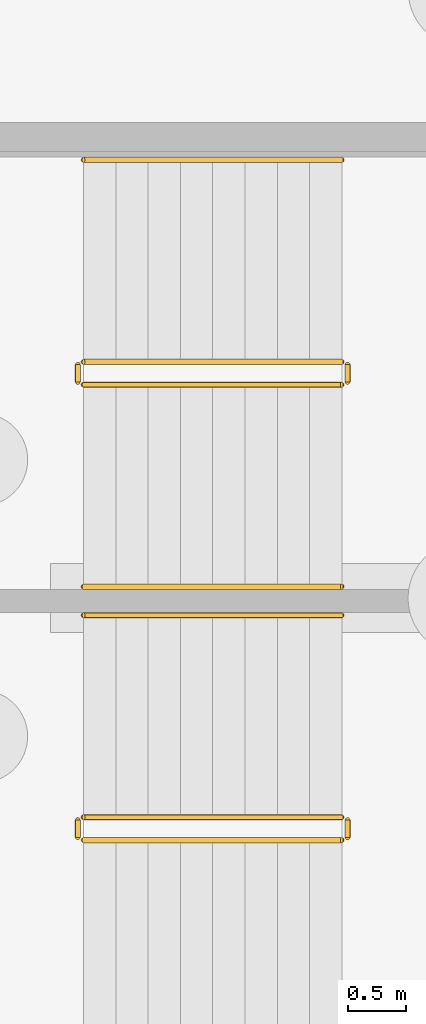
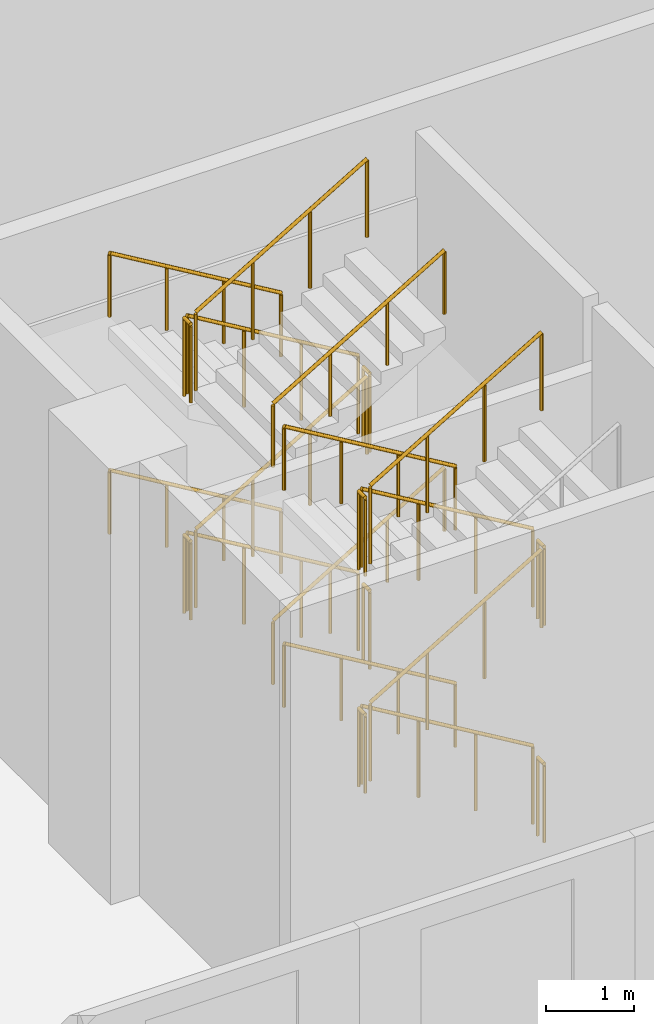
# One storey, part 33 of 39: 22 railings.
"""IFC4 building model written with IfcOpenShell, lengths in metres."""

from ifc_helpers import new_model, si_unit, direction, frame, origin, origin_2d, place, context, subcontext, project, spatial, circle, extrude, material, type_object, element, save


model = new_model("IFC4")

# Units and contexts
model_context = context("Model", 3, precision=1e-05, world=origin(), true_north=direction((0.0, 1.0)))
body_context = subcontext(model_context, "Body", "Model", "MODEL_VIEW")
ifc_project = project(units=[si_unit("LENGTHUNIT", "METRE"), si_unit("AREAUNIT", "SQUARE_METRE"), si_unit("VOLUMEUNIT", "CUBIC_METRE"), si_unit("PLANEANGLEUNIT", "RADIAN"), si_unit("MASSUNIT", "GRAM", prefix="KILO")], contexts=[model_context])

# Site, building, storey
site_placement = place(None, origin())
site = spatial("IfcSite", under=ifc_project, at=site_placement, CompositionType="ELEMENT")
building_placement = place(site_placement, origin())
building = spatial("IfcBuilding", under=site, at=building_placement, Name="Magnolia Steps Interchange", CompositionType="ELEMENT")
storey_placement = place(building_placement, frame((0.0, 0.0, -11.39990234375)))
storey = spatial("IfcBuildingStorey", under=building, at=storey_placement, Name="B2", CompositionType="ELEMENT", Elevation=-11.39990234375)

# Railings
ifc_material_1 = material(Name="Stainless steel grade 304", Category="steel")
railing_type_1 = type_object("IfcRailingType", Name="Stair guard 1100", PredefinedType="GUARDRAIL", material=ifc_material_1)
railing_1_placement = place(storey_placement, frame((100.72509765625, 62.09912109375, 0.16650390625)))
element("IfcRailing", 1, at=railing_1_placement, inside=storey, type_object=railing_type_1, Name="B2 ST11 stair guard 1", PredefinedType="GUARDRAIL", context=body_context, shape_type="SweptSolid", body=[
    extrude(circle(Radius=0.02392578125, at=origin_2d()), frame((0.0, 0.0, 1.076171875), z_axis=(-0.859264461869, 0.0, 0.511531606619), x_axis=(0.0, -1.0, 0.0)), (0.0, 0.0, 1.0), 2.60693359375),
    extrude(circle(Radius=0.02099609375, at=origin_2d()), origin(), (0.0, 0.0, 1.0), 1.052001953125),
    extrude(circle(Radius=0.02099609375, at=origin_2d()), frame((-0.74658203125, 0.0, 0.444580078125)), (0.0, 0.0, 1.0), 1.052001953125),
    extrude(circle(Radius=0.02099609375, at=origin_2d()), frame((-1.493408203125, 0.0, 0.888916015625)), (0.0, 0.0, 1.0), 1.052001953125),
    extrude(circle(Radius=0.02099609375, at=origin_2d()), frame((-2.239990234375, 0.0, 1.33349609375)), (0.0, 0.0, 1.0), 1.052001953125),
])
railing_2_placement = place(storey_placement, frame((98.43505859375, 62.074951171875, 1.5)))
element("IfcRailing", 2, at=railing_2_placement, inside=storey, type_object=railing_type_1, Name="B2 ST11 stair guard 2", PredefinedType="GUARDRAIL", context=body_context, shape_type="SweptSolid", body=[
    extrude(circle(Radius=0.02392578125, at=origin_2d()), frame((0.0, 0.0, 1.076171875), z_axis=(0.0, -1.0, 0.0), x_axis=(1.0, 0.0, 0.0)), (0.0, 0.0, 1.0), 0.14990234375),
    extrude(circle(Radius=0.02099609375, at=origin_2d()), origin(), (0.0, 0.0, 1.0), 1.052001953125),
    extrude(circle(Radius=0.02099609375, at=origin_2d()), frame((0.0, -0.14990234375, 0.0)), (0.0, 0.0, 1.0), 1.052001953125),
])
railing_3_placement = place(storey_placement, frame((98.485107421875, 61.90087890625, 1.66650390625)))
element("IfcRailing", 3, at=railing_3_placement, inside=storey, type_object=railing_type_1, Name="B2 ST11 stair guard 3", PredefinedType="GUARDRAIL", context=body_context, shape_type="SweptSolid", body=[
    extrude(circle(Radius=0.02392578125, at=origin_2d()), frame((0.0, 0.0, 1.076171875), z_axis=(0.859264461869, 0.0, 0.511531606619), x_axis=(0.0, 1.0, 0.0)), (0.0, 0.0, 1.0), 2.60693359375),
    extrude(circle(Radius=0.02099609375, at=origin_2d()), origin(), (0.0, 0.0, 1.0), 1.052001953125),
    extrude(circle(Radius=0.02099609375, at=origin_2d()), frame((0.74658203125, 0.0, 0.444580078125)), (0.0, 0.0, 1.0), 1.052001953125),
    extrude(circle(Radius=0.02099609375, at=origin_2d()), frame((1.493408203125, 0.0, 0.888916015625)), (0.0, 0.0, 1.0), 1.052001953125),
    extrude(circle(Radius=0.02099609375, at=origin_2d()), frame((2.239990234375, 0.0, 1.33349609375)), (0.0, 0.0, 1.0), 1.052001953125),
])
railing_4_placement = place(storey_placement, frame((100.77490234375, 62.074951171875, 3.0)))
element("IfcRailing", 4, at=railing_4_placement, inside=storey, type_object=railing_type_1, Name="B2 ST11 stair guard 4", PredefinedType="GUARDRAIL", context=body_context, shape_type="SweptSolid", body=[
    extrude(circle(Radius=0.02392578125, at=origin_2d()), frame((0.0, 0.0, 1.076171875), z_axis=(0.0, -1.0, 0.0), x_axis=(1.0, 0.0, 0.0)), (0.0, 0.0, 1.0), 0.14990234375),
    extrude(circle(Radius=0.02099609375, at=origin_2d()), origin(), (0.0, 0.0, 1.0), 1.052001953125),
    extrude(circle(Radius=0.02099609375, at=origin_2d()), frame((0.0, -0.14990234375, 0.0)), (0.0, 0.0, 1.0), 1.052001953125),
])
railing_5_placement = place(storey_placement, frame((100.72509765625, 62.09912109375, 3.16650390625)))
element("IfcRailing", 5, at=railing_5_placement, inside=storey, type_object=railing_type_1, Name="B2 ST11 stair guard 5", PredefinedType="GUARDRAIL", context=body_context, shape_type="SweptSolid", body=[
    extrude(circle(Radius=0.02392578125, at=origin_2d()), frame((0.0, 0.0, 1.076171875), z_axis=(-0.859264461869, 0.0, 0.511531606619), x_axis=(0.0, -1.0, 0.0)), (0.0, 0.0, 1.0), 2.60693359375),
    extrude(circle(Radius=0.02099609375, at=origin_2d()), origin(), (0.0, 0.0, 1.0), 1.052001953125),
    extrude(circle(Radius=0.02099609375, at=origin_2d()), frame((-0.74658203125, 0.0, 0.444580078125)), (0.0, 0.0, 1.0), 1.052001953125),
    extrude(circle(Radius=0.02099609375, at=origin_2d()), frame((-1.493408203125, 0.0, 0.888916015625)), (0.0, 0.0, 1.0), 1.052001953125),
    extrude(circle(Radius=0.02099609375, at=origin_2d()), frame((-2.239990234375, 0.0, 1.33349609375)), (0.0, 0.0, 1.0), 1.052001953125),
])
railing_6_placement = place(storey_placement, frame((98.43505859375, 62.074951171875, 4.5)))
element("IfcRailing", 6, at=railing_6_placement, inside=storey, type_object=railing_type_1, Name="B2 ST11 stair guard 6", PredefinedType="GUARDRAIL", context=body_context, shape_type="SweptSolid", body=[
    extrude(circle(Radius=0.02392578125, at=origin_2d()), frame((0.0, 0.0, 1.076171875), z_axis=(0.0, -1.0, 0.0), x_axis=(1.0, 0.0, 0.0)), (0.0, 0.0, 1.0), 0.14990234375),
    extrude(circle(Radius=0.02099609375, at=origin_2d()), origin(), (0.0, 0.0, 1.0), 1.052001953125),
    extrude(circle(Radius=0.02099609375, at=origin_2d()), frame((0.0, -0.14990234375, 0.0)), (0.0, 0.0, 1.0), 1.052001953125),
])
railing_7_placement = place(storey_placement, frame((98.485107421875, 61.90087890625, 4.66650390625)))
element("IfcRailing", 7, at=railing_7_placement, inside=storey, type_object=railing_type_1, Name="B2 ST11 stair guard 7", PredefinedType="GUARDRAIL", context=body_context, shape_type="SweptSolid", body=[
    extrude(circle(Radius=0.02392578125, at=origin_2d()), frame((0.0, 0.0, 1.076171875), z_axis=(0.859264461869, 0.0, 0.511531606619), x_axis=(0.0, 1.0, 0.0)), (0.0, 0.0, 1.0), 2.60693359375),
    extrude(circle(Radius=0.02099609375, at=origin_2d()), origin(), (0.0, 0.0, 1.0), 1.052001953125),
    extrude(circle(Radius=0.02099609375, at=origin_2d()), frame((0.74658203125, 0.0, 0.444580078125)), (0.0, 0.0, 1.0), 1.052001953125),
    extrude(circle(Radius=0.02099609375, at=origin_2d()), frame((1.493408203125, 0.0, 0.888916015625)), (0.0, 0.0, 1.0), 1.052001953125),
    extrude(circle(Radius=0.02099609375, at=origin_2d()), frame((2.239990234375, 0.0, 1.33349609375)), (0.0, 0.0, 1.0), 1.052001953125),
])
railing_8_placement = place(storey_placement, frame((100.77490234375, 62.074951171875, 0.0)))
element("IfcRailing", 8, at=railing_8_placement, inside=storey, type_object=railing_type_1, Name="B2 ST11 stair guard 8", PredefinedType="GUARDRAIL", context=body_context, shape_type="SweptSolid", body=[
    extrude(circle(Radius=0.02392578125, at=origin_2d()), frame((0.0, 0.0, 1.076171875), z_axis=(0.0, -1.0, 0.0), x_axis=(1.0, 0.0, 0.0)), (0.0, 0.0, 1.0), 0.14990234375),
    extrude(circle(Radius=0.02099609375, at=origin_2d()), origin(), (0.0, 0.0, 1.0), 1.052001953125),
    extrude(circle(Radius=0.02099609375, at=origin_2d()), frame((0.0, -0.14990234375, 0.0)), (0.0, 0.0, 1.0), 1.052001953125),
])
railing_9_placement = place(storey_placement, frame((100.72509765625, 66.049072265625, 0.16650390625)))
element("IfcRailing", 9, at=railing_9_placement, inside=storey, type_object=railing_type_1, Name="B2 ST12 stair guard 1", PredefinedType="GUARDRAIL", context=body_context, shape_type="SweptSolid", body=[
    extrude(circle(Radius=0.02392578125, at=origin_2d()), frame((0.0, 0.0, 1.076171875), z_axis=(-0.859264461869, 0.0, 0.511531606619), x_axis=(0.0, -1.0, 0.0)), (0.0, 0.0, 1.0), 2.60693359375),
    extrude(circle(Radius=0.02099609375, at=origin_2d()), origin(), (0.0, 0.0, 1.0), 1.052001953125),
    extrude(circle(Radius=0.02099609375, at=origin_2d()), frame((-0.74658203125, 0.0, 0.444580078125)), (0.0, 0.0, 1.0), 1.052001953125),
    extrude(circle(Radius=0.02099609375, at=origin_2d()), frame((-1.493408203125, 0.0, 0.888916015625)), (0.0, 0.0, 1.0), 1.052001953125),
    extrude(circle(Radius=0.02099609375, at=origin_2d()), frame((-2.239990234375, 0.0, 1.33349609375)), (0.0, 0.0, 1.0), 1.052001953125),
])
railing_10_placement = place(storey_placement, frame((98.43505859375, 66.02490234375, 1.5)))
element("IfcRailing", 10, at=railing_10_placement, inside=storey, type_object=railing_type_1, Name="B2 ST12 stair guard 2", PredefinedType="GUARDRAIL", context=body_context, shape_type="SweptSolid", body=[
    extrude(circle(Radius=0.02392578125, at=origin_2d()), frame((0.0, 0.0, 1.076171875), z_axis=(0.0, -1.0, 0.0), x_axis=(1.0, 0.0, 0.0)), (0.0, 0.0, 1.0), 0.14990234375),
    extrude(circle(Radius=0.02099609375, at=origin_2d()), origin(), (0.0, 0.0, 1.0), 1.052001953125),
    extrude(circle(Radius=0.02099609375, at=origin_2d()), frame((0.0, -0.14990234375, 0.0)), (0.0, 0.0, 1.0), 1.052001953125),
])
railing_11_placement = place(storey_placement, frame((98.485107421875, 65.85107421875, 1.66650390625)))
element("IfcRailing", 11, at=railing_11_placement, inside=storey, type_object=railing_type_1, Name="B2 ST12 stair guard 3", PredefinedType="GUARDRAIL", context=body_context, shape_type="SweptSolid", body=[
    extrude(circle(Radius=0.02392578125, at=origin_2d()), frame((0.0, 0.0, 1.076171875), z_axis=(0.859264461869, 0.0, 0.511531606619), x_axis=(0.0, 1.0, 0.0)), (0.0, 0.0, 1.0), 2.60693359375),
    extrude(circle(Radius=0.02099609375, at=origin_2d()), origin(), (0.0, 0.0, 1.0), 1.052001953125),
    extrude(circle(Radius=0.02099609375, at=origin_2d()), frame((0.74658203125, 0.0, 0.444580078125)), (0.0, 0.0, 1.0), 1.052001953125),
    extrude(circle(Radius=0.02099609375, at=origin_2d()), frame((1.493408203125, 0.0, 0.888916015625)), (0.0, 0.0, 1.0), 1.052001953125),
    extrude(circle(Radius=0.02099609375, at=origin_2d()), frame((2.239990234375, 0.0, 1.33349609375)), (0.0, 0.0, 1.0), 1.052001953125),
])
railing_12_placement = place(storey_placement, frame((100.77490234375, 66.02490234375, 3.0)))
element("IfcRailing", 12, at=railing_12_placement, inside=storey, type_object=railing_type_1, Name="B2 ST12 stair guard 4", PredefinedType="GUARDRAIL", context=body_context, shape_type="SweptSolid", body=[
    extrude(circle(Radius=0.02392578125, at=origin_2d()), frame((0.0, 0.0, 1.076171875), z_axis=(0.0, -1.0, 0.0), x_axis=(1.0, 0.0, 0.0)), (0.0, 0.0, 1.0), 0.14990234375),
    extrude(circle(Radius=0.02099609375, at=origin_2d()), origin(), (0.0, 0.0, 1.0), 1.052001953125),
    extrude(circle(Radius=0.02099609375, at=origin_2d()), frame((0.0, -0.14990234375, 0.0)), (0.0, 0.0, 1.0), 1.052001953125),
])
railing_13_placement = place(storey_placement, frame((100.72509765625, 66.049072265625, 3.16650390625)))
element("IfcRailing", 13, at=railing_13_placement, inside=storey, type_object=railing_type_1, Name="B2 ST12 stair guard 5", PredefinedType="GUARDRAIL", context=body_context, shape_type="SweptSolid", body=[
    extrude(circle(Radius=0.02392578125, at=origin_2d()), frame((0.0, 0.0, 1.076171875), z_axis=(-0.859264461869, 0.0, 0.511531606619), x_axis=(0.0, -1.0, 0.0)), (0.0, 0.0, 1.0), 2.60693359375),
    extrude(circle(Radius=0.02099609375, at=origin_2d()), origin(), (0.0, 0.0, 1.0), 1.052001953125),
    extrude(circle(Radius=0.02099609375, at=origin_2d()), frame((-0.74658203125, 0.0, 0.444580078125)), (0.0, 0.0, 1.0), 1.052001953125),
    extrude(circle(Radius=0.02099609375, at=origin_2d()), frame((-1.493408203125, 0.0, 0.888916015625)), (0.0, 0.0, 1.0), 1.052001953125),
    extrude(circle(Radius=0.02099609375, at=origin_2d()), frame((-2.239990234375, 0.0, 1.33349609375)), (0.0, 0.0, 1.0), 1.052001953125),
])
railing_14_placement = place(storey_placement, frame((98.43505859375, 66.02490234375, 4.5)))
element("IfcRailing", 14, at=railing_14_placement, inside=storey, type_object=railing_type_1, Name="B2 ST12 stair guard 6", PredefinedType="GUARDRAIL", context=body_context, shape_type="SweptSolid", body=[
    extrude(circle(Radius=0.02392578125, at=origin_2d()), frame((0.0, 0.0, 1.076171875), z_axis=(0.0, -1.0, 0.0), x_axis=(1.0, 0.0, 0.0)), (0.0, 0.0, 1.0), 0.14990234375),
    extrude(circle(Radius=0.02099609375, at=origin_2d()), origin(), (0.0, 0.0, 1.0), 1.052001953125),
    extrude(circle(Radius=0.02099609375, at=origin_2d()), frame((0.0, -0.14990234375, 0.0)), (0.0, 0.0, 1.0), 1.052001953125),
])
railing_15_placement = place(storey_placement, frame((98.485107421875, 65.85107421875, 4.66650390625)))
element("IfcRailing", 15, at=railing_15_placement, inside=storey, type_object=railing_type_1, Name="B2 ST12 stair guard 7", PredefinedType="GUARDRAIL", context=body_context, shape_type="SweptSolid", body=[
    extrude(circle(Radius=0.02392578125, at=origin_2d()), frame((0.0, 0.0, 1.076171875), z_axis=(0.859264461869, 0.0, 0.511531606619), x_axis=(0.0, 1.0, 0.0)), (0.0, 0.0, 1.0), 2.60693359375),
    extrude(circle(Radius=0.02099609375, at=origin_2d()), origin(), (0.0, 0.0, 1.0), 1.052001953125),
    extrude(circle(Radius=0.02099609375, at=origin_2d()), frame((0.74658203125, 0.0, 0.444580078125)), (0.0, 0.0, 1.0), 1.052001953125),
    extrude(circle(Radius=0.02099609375, at=origin_2d()), frame((1.493408203125, 0.0, 0.888916015625)), (0.0, 0.0, 1.0), 1.052001953125),
    extrude(circle(Radius=0.02099609375, at=origin_2d()), frame((2.239990234375, 0.0, 1.33349609375)), (0.0, 0.0, 1.0), 1.052001953125),
])
railing_16_placement = place(storey_placement, frame((100.77490234375, 66.02490234375, 0.0)))
element("IfcRailing", 16, at=railing_16_placement, inside=storey, type_object=railing_type_1, Name="B2 ST12 stair guard 8", PredefinedType="GUARDRAIL", context=body_context, shape_type="SweptSolid", body=[
    extrude(circle(Radius=0.02392578125, at=origin_2d()), frame((0.0, 0.0, 1.076171875), z_axis=(0.0, -1.0, 0.0), x_axis=(1.0, 0.0, 0.0)), (0.0, 0.0, 1.0), 0.14990234375),
    extrude(circle(Radius=0.02099609375, at=origin_2d()), origin(), (0.0, 0.0, 1.0), 1.052001953125),
    extrude(circle(Radius=0.02099609375, at=origin_2d()), frame((0.0, -0.14990234375, 0.0)), (0.0, 0.0, 1.0), 1.052001953125),
])
ifc_material_2 = material(Name="Stainless steel grade 304", Category="steel")
railing_type_2 = type_object("IfcRailingType", Name="Stair handrail 900", PredefinedType="HANDRAIL", material=ifc_material_2)
for number, where, name in (
    (17, (100.72509765625, 63.85107421875, 0.16650390625), "B2 ST11 stair handrail 1"),
    (18, (100.72509765625, 63.85107421875, 3.16650390625), "B2 ST11 stair handrail 3"),
    (19, (100.72509765625, 67.801025390625, 0.16650390625), "B2 ST12 stair handrail 1"),
):
    element("IfcRailing", number, at=place(storey_placement, frame(where)), inside=storey, type_object=railing_type_2, Name=name, PredefinedType="HANDRAIL", context=body_context, shape_type="SweptSolid", body=[
        extrude(circle(Radius=0.02392578125, at=origin_2d()), frame((0.0, 0.0, 0.8759765625), z_axis=(-0.859264461869, 0.0, 0.511531606619), x_axis=(0.0, -1.0, 0.0)), (0.0, 0.0, 1.0), 2.60693359375),
        extrude(circle(Radius=0.02099609375, at=origin_2d()), origin(), (0.0, 0.0, 1.0), 0.851806640625),
        extrude(circle(Radius=0.02099609375, at=origin_2d()), frame((-0.74658203125, 0.0, 0.444580078125)), (0.0, 0.0, 1.0), 0.851806640625),
        extrude(circle(Radius=0.02099609375, at=origin_2d()), frame((-1.493408203125, 0.0, 0.888916015625)), (0.0, 0.0, 1.0), 0.851806640625),
        extrude(circle(Radius=0.02099609375, at=origin_2d()), frame((-2.239990234375, 0.0, 1.33349609375)), (0.0, 0.0, 1.0), 0.851806640625),
    ])
railing_17_placement = place(storey_placement, frame((98.485107421875, 64.09912109375, 1.66650390625)))
element("IfcRailing", 20, at=railing_17_placement, inside=storey, type_object=railing_type_2, Name="B2 ST12 stair handrail 2", PredefinedType="HANDRAIL", context=body_context, shape_type="SweptSolid", body=[
    extrude(circle(Radius=0.02392578125, at=origin_2d()), frame((0.0, 0.0, 0.8759765625), z_axis=(0.859264461869, 0.0, 0.511531606619), x_axis=(0.0, 1.0, 0.0)), (0.0, 0.0, 1.0), 2.60693359375),
    extrude(circle(Radius=0.02099609375, at=origin_2d()), origin(), (0.0, 0.0, 1.0), 0.851806640625),
    extrude(circle(Radius=0.02099609375, at=origin_2d()), frame((0.74658203125, 0.0, 0.444580078125)), (0.0, 0.0, 1.0), 0.851806640625),
    extrude(circle(Radius=0.02099609375, at=origin_2d()), frame((1.493408203125, 0.0, 0.888916015625)), (0.0, 0.0, 1.0), 0.851806640625),
    extrude(circle(Radius=0.02099609375, at=origin_2d()), frame((2.239990234375, 0.0, 1.33349609375)), (0.0, 0.0, 1.0), 0.851806640625),
])
railing_18_placement = place(storey_placement, frame((100.72509765625, 67.801025390625, 3.16650390625)))
element("IfcRailing", 21, at=railing_18_placement, inside=storey, type_object=railing_type_2, Name="B2 ST12 stair handrail 3", PredefinedType="HANDRAIL", context=body_context, shape_type="SweptSolid", body=[
    extrude(circle(Radius=0.02392578125, at=origin_2d()), frame((0.0, 0.0, 0.8759765625), z_axis=(-0.859264461869, 0.0, 0.511531606619), x_axis=(0.0, -1.0, 0.0)), (0.0, 0.0, 1.0), 2.60693359375),
    extrude(circle(Radius=0.02099609375, at=origin_2d()), origin(), (0.0, 0.0, 1.0), 0.851806640625),
    extrude(circle(Radius=0.02099609375, at=origin_2d()), frame((-0.74658203125, 0.0, 0.444580078125)), (0.0, 0.0, 1.0), 0.851806640625),
    extrude(circle(Radius=0.02099609375, at=origin_2d()), frame((-1.493408203125, 0.0, 0.888916015625)), (0.0, 0.0, 1.0), 0.851806640625),
    extrude(circle(Radius=0.02099609375, at=origin_2d()), frame((-2.239990234375, 0.0, 1.33349609375)), (0.0, 0.0, 1.0), 0.851806640625),
])
railing_19_placement = place(storey_placement, frame((98.485107421875, 64.09912109375, 4.66650390625)))
element("IfcRailing", 22, at=railing_19_placement, inside=storey, type_object=railing_type_2, Name="B2 ST12 stair handrail 4", PredefinedType="HANDRAIL", context=body_context, shape_type="SweptSolid", body=[
    extrude(circle(Radius=0.02392578125, at=origin_2d()), frame((0.0, 0.0, 0.8759765625), z_axis=(0.859264461869, 0.0, 0.511531606619), x_axis=(0.0, 1.0, 0.0)), (0.0, 0.0, 1.0), 2.60693359375),
    extrude(circle(Radius=0.02099609375, at=origin_2d()), origin(), (0.0, 0.0, 1.0), 0.851806640625),
    extrude(circle(Radius=0.02099609375, at=origin_2d()), frame((0.74658203125, 0.0, 0.444580078125)), (0.0, 0.0, 1.0), 0.851806640625),
    extrude(circle(Radius=0.02099609375, at=origin_2d()), frame((1.493408203125, 0.0, 0.888916015625)), (0.0, 0.0, 1.0), 0.851806640625),
    extrude(circle(Radius=0.02099609375, at=origin_2d()), frame((2.239990234375, 0.0, 1.33349609375)), (0.0, 0.0, 1.0), 0.851806640625),
])

save(model, "model.ifc")
